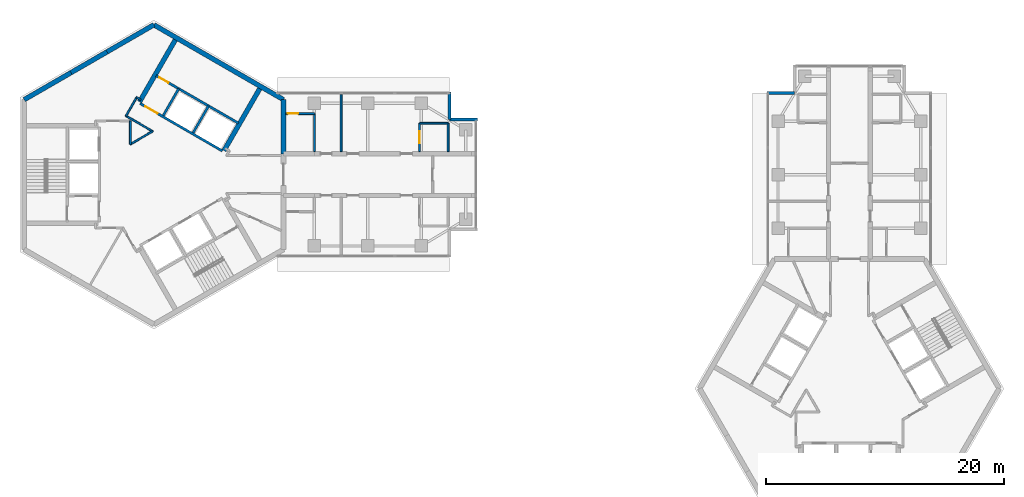
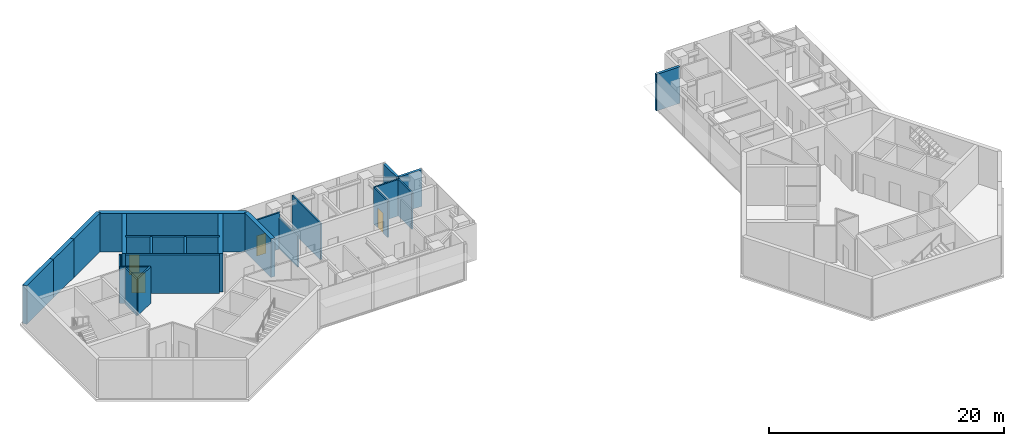
# One storey, part 7 of 11: 25 walls, 4 doors, 4 openings.
"""IFC4 building model written with IfcOpenShell, lengths in metres."""

from ifc_helpers import new_model, si_unit, direction, frame, frame_2d, origin, place, context, subcontext, project, spatial, rectangle, extrude, material, layer, layer_set, type_object, element, fill, save


model = new_model("IFC4")

# Units and contexts
model_context = context("Model", 3, precision=1e-05, world=origin(), true_north=direction((0.0, 1.0)))
body_context = subcontext(model_context, "Body", "Model", "MODEL_VIEW")
ifc_project = project(units=[si_unit("LENGTHUNIT", "METRE"), si_unit("AREAUNIT", "SQUARE_METRE"), si_unit("VOLUMEUNIT", "CUBIC_METRE"), si_unit("PLANEANGLEUNIT", "RADIAN"), si_unit("MASSUNIT", "GRAM", prefix="KILO")], contexts=[model_context])

# Site, building, storey
site_placement = place(None, origin())
site = spatial("IfcSite", under=ifc_project, at=site_placement, CompositionType="ELEMENT")
building_placement = place(site_placement, origin())
building = spatial("IfcBuilding", under=site, at=building_placement, Name="Upepo Twin Towers", CompositionType="ELEMENT")
storey_placement = place(building_placement, frame((0.0, 0.0, 247.5)))
storey = spatial("IfcBuildingStorey", under=building, at=storey_placement, Name="L60", CompositionType="ELEMENT", Elevation=247.5)

# Walls
ifc_material_1 = material(Name="Concrete C60/75", Category="concrete")
ifc_layer_1 = layer(ifc_material_1, 0.39990234375)
ifc_layer_set_1 = layer_set([ifc_layer_1], Name="Concrete C60/75")
wall_type_1 = type_object("IfcWallType", Name="Core wall 400 RC", PredefinedType="SHEAR", material=ifc_layer_set_1)
wall_1_placement = place(storey_placement, frame((10.908447265625, 1.75, 0.0), z_axis=(0.0, 0.0, 1.0), x_axis=(0.0, 1.0, 0.0)))
element("IfcWall", 1, at=wall_1_placement, inside=storey, type_object=wall_type_1, Name="T1 core wall 000 L", PredefinedType="SHEAR", context=body_context, shape_type="SweptSolid", body=[
    extrude(rectangle(XDim=4.5478515625, YDim=0.39990234375, at=frame_2d((2.27392578125, 0.0))), origin(), (0.0, 0.0, 1.0), 4.0),
])
wall_2_placement = place(storey_placement, frame((10.908447265625, 6.2978515625, 0.0), z_axis=(0.0, 0.0, 1.0), x_axis=(-0.866021940709, 0.500005998175, 0.0)))
element("IfcWall", 2, at=wall_2_placement, inside=storey, type_object=wall_type_1, Name="T1 core wall 060", PredefinedType="SHEAR", context=body_context, shape_type="SweptSolid", body=[
    extrude(rectangle(XDim=12.595947265625, YDim=0.39990234375, at=frame_2d((6.2978515625, 0.0))), origin(), (0.0, 0.0, 1.0), 4.0),
])
wall_3_placement = place(storey_placement, frame((0.0, 12.595947265625, 0.0), z_axis=(0.0, 0.0, 1.0), x_axis=(-0.866011268655, -0.500024481964, 0.0)))
element("IfcWall", 3, at=wall_3_placement, inside=storey, type_object=wall_type_1, Name="T1 core wall 120 R", PredefinedType="SHEAR", context=body_context, shape_type="SweptSolid", body=[
    extrude(rectangle(XDim=4.548095703125, YDim=0.39990234375, at=frame_2d((2.27392578125, 0.0))), origin(), (0.0, 0.0, 1.0), 4.0),
])
wall_4_placement = place(storey_placement, frame((-3.938720703125, 10.32177734375, 0.0), z_axis=(0.0, 0.0, 1.0), x_axis=(-0.866019471182, -0.500010275428, 0.0)))
element("IfcWall", 4, at=wall_4_placement, inside=storey, type_object=wall_type_1, Name="T1 core wall 120", PredefinedType="SHEAR", context=body_context, shape_type="SweptSolid", body=[
    extrude(rectangle(XDim=3.5, YDim=0.39990234375, at=frame_2d((1.75, 0.0))), origin(), (0.0, 0.0, 1.0), 4.0),
])
wall_5_placement = place(storey_placement, frame((-6.9697265625, 8.57177734375, 0.0), z_axis=(0.0, 0.0, 1.0), x_axis=(-0.866034513004, -0.499984222037, 0.0)))
element("IfcWall", 5, at=wall_5_placement, inside=storey, type_object=wall_type_1, Name="T1 core wall 120 L", PredefinedType="SHEAR", context=body_context, shape_type="SweptSolid", body=[
    extrude(rectangle(XDim=4.548095703125, YDim=0.39990234375, at=frame_2d((2.27392578125, 0.0))), origin(), (0.0, 0.0, 1.0), 4.0),
])
ifc_material_2 = material(Name="Blockwork with anodised aluminium cladding", Category="masonry")
ifc_layer_2 = layer(ifc_material_2, 0.25)
ifc_layer_set_2 = layer_set([ifc_layer_2], Name="Notch cladding wall 250, pale metal")
wall_type_2 = type_object("IfcWallType", Name="Notch cladding wall 250, pale metal", PredefinedType="STANDARD", material=ifc_layer_set_2)
for number, where, z_axis, x_axis, name in (
    (6, (24.875, 6.949951171875, 0.0), (0.0, 0.0, 1.0), (0.0, -1.0, 0.0), "T1 L60 wing A notch wall L1"),
    (7, (24.875, 4.625, 0.0), (0.0, 0.0, 1.0), (1.0, 0.0, 0.0), "T1 L60 wing A notch wall L2"),
    (8, (51.550048828125, 6.875, 0.0), (0.0, 0.0, 1.0), (1.0, 0.0, 0.0), "T2 L60 wing A notch wall L1"),
):
    element("IfcWall", number, at=place(storey_placement, frame(where, z_axis=z_axis, x_axis=x_axis)), inside=storey, type_object=wall_type_2, Name=name, PredefinedType="STANDARD", context=body_context, shape_type="SweptSolid", body=[
        extrude(rectangle(XDim=2.324951171875, YDim=0.25, at=frame_2d((1.16259765625, 0.0))), origin(), (0.0, 0.0, 1.0), 3.800048828125),
    ])

# Wall, opening, door
ifc_material_3 = material(Name="Concrete C40/50", Category="concrete")
ifc_layer_3 = layer(ifc_material_3, 0.199951171875)
ifc_layer_set_3 = layer_set([ifc_layer_3], Name="Concrete C40/50")
wall_type_3 = type_object("IfcWallType", Name="Shaft wall 200 RC", PredefinedType="SHEAR", material=ifc_layer_set_3)
wall_6_placement = place(storey_placement, frame((5.76416015625, 1.983642578125, 0.0), z_axis=(0.0, 0.0, 1.0), x_axis=(-0.866026010844, 0.49999894854, 0.0)))
wall_6 = element("IfcWall", 9, at=wall_6_placement, inside=storey, type_object=wall_type_3, Name="T1 core W60 front wall", PredefinedType="SHEAR", context=body_context, shape_type="SweptSolid", body=[
    extrude(rectangle(XDim=8.0, YDim=0.199951171875, at=frame_2d((4.0, 0.0))), origin(), (0.0, 0.0, 1.0), 4.0),
])
opening_1_placement = place(wall_6_placement, frame((6.300048828125, 0.0, 0.0)))
opening_1 = element("IfcOpeningElement", 10, at=opening_1_placement, cuts=wall_6, Name="Opening D4", PredefinedType="OPENING", context=body_context, shape_type="SweptSolid", body=[
    extrude(rectangle(XDim=1.199951171875, YDim=2.10009765625, at=frame_2d((0.60009765625, 1.050048828125))), frame((0.0, 0.10986328125, 0.0), z_axis=(0.0, -1.0, 0.0), x_axis=(1.0, 0.0, 0.0)), (0.0, 0.0, 1.0), 0.219970703125),
])
ifc_material_4 = material(Name="Timber doorset", Category="wood")
door_type_1 = type_object("IfcDoorType", Name="Lobby door 1200 FD60", OperationType="SINGLE_SWING_LEFT", PredefinedType="DOOR", material=ifc_material_4)
door_1_placement = place(opening_1_placement, origin())
door_1 = element("IfcDoor", 11, at=door_1_placement, inside=storey, type_object=door_type_1, Name="T1 L60 W60 lobby door", OperationType="SINGLE_SWING_RIGHT", OverallHeight=2.10009765625, OverallWidth=1.199951171875, PredefinedType="DOOR", context=body_context, shape_type="SweptSolid", body=[
    extrude(rectangle(XDim=1.199951171875, YDim=2.10009765625, at=frame_2d((0.60009765625, 1.050048828125))), frame((0.0, 0.02490234375, 0.0), z_axis=(0.0, -1.0, 0.0), x_axis=(1.0, 0.0, 0.0)), (0.0, 0.0, 1.0), 0.050048828125),
])
fill(opening_1, door_1)

# Walls
for number, where, z_axis, x_axis, name in (
    (12, (3.302734375, 3.520263671875, 0.0), (0.0, 0.0, 1.0), (0.499936506574, 0.866062058628, 0.0), "T1 core W60 shaft divider"),
    (13, (0.791259765625, 4.97021484375, 0.0), (0.0, 0.0, 1.0), (0.499936506574, 0.866062058628, 0.0), "T1 core W60 lobby wall"),
):
    element("IfcWall", number, at=place(storey_placement, frame(where, z_axis=z_axis, x_axis=x_axis)), inside=storey, type_object=wall_type_3, Name=name, PredefinedType="SHEAR", context=body_context, shape_type="SweptSolid", body=[
        extrude(rectangle(XDim=2.599853515625, YDim=0.199951171875, at=frame_2d((1.2998046875, 0.0))), origin(), (0.0, 0.0, 1.0), 4.0),
    ])

# Wall, opening, door
wall_7_placement = place(storey_placement, frame((7.114013671875, 4.322021484375, 0.0), z_axis=(0.0, 0.0, 1.0), x_axis=(-0.866026010844, 0.49999894854, 0.0)))
wall_7 = element("IfcWall", 14, at=wall_7_placement, inside=storey, type_object=wall_type_3, Name="T1 core W60 stair wall", PredefinedType="SHEAR", context=body_context, shape_type="SweptSolid", body=[
    extrude(rectangle(XDim=8.0, YDim=0.199951171875, at=frame_2d((4.0, 0.0))), origin(), (0.0, 0.0, 1.0), 4.0),
])
opening_2_placement = place(wall_7_placement, frame((6.800048828125, 0.0, 0.0)))
opening_2 = element("IfcOpeningElement", 15, at=opening_2_placement, cuts=wall_7, Name="Opening D9", PredefinedType="OPENING", context=body_context, shape_type="SweptSolid", body=[
    extrude(rectangle(XDim=0.89990234375, YDim=2.10009765625, at=frame_2d((0.449951171875, 1.050048828125))), frame((0.0, 0.10986328125, 0.0), z_axis=(0.0, -1.0, 0.0), x_axis=(1.0, 0.0, 0.0)), (0.0, 0.0, 1.0), 0.219970703125),
])
ifc_material_5 = material(Name="Timber doorset", Category="wood")
door_type_2 = type_object("IfcDoorType", Name="Riser door 900 FD60", OperationType="SINGLE_SWING_LEFT", PredefinedType="DOOR", material=ifc_material_5)
door_2_placement = place(opening_2_placement, origin())
door_2 = element("IfcDoor", 16, at=door_2_placement, inside=storey, type_object=door_type_2, Name="T1 L60 riser door", OperationType="SINGLE_SWING_RIGHT", OverallHeight=2.10009765625, OverallWidth=0.89990234375, PredefinedType="DOOR", context=body_context, shape_type="SweptSolid", body=[
    extrude(rectangle(XDim=0.89990234375, YDim=2.10009765625, at=frame_2d((0.449951171875, 1.050048828125))), frame((0.0, 0.02490234375, 0.0), z_axis=(0.0, -1.0, 0.0), x_axis=(1.0, 0.0, 0.0)), (0.0, 0.0, 1.0), 0.050048828125),
])
fill(opening_2, door_2)

# Walls
ifc_material_6 = material(Name="Concrete C40/50", Category="concrete")
ifc_layer_4 = layer(ifc_material_6, 0.39990234375)
ifc_layer_set_4 = layer_set([ifc_layer_4], Name="Concrete C40/50")
wall_type_4 = type_object("IfcWallType", Name="Shaft wall 400 RC", PredefinedType="SHEAR", material=ifc_layer_set_4)
for number, where, z_axis, x_axis, name in (
    (17, (-1.20068359375, 6.120361328125, 0.0), (0.0, 0.0, 1.0), (0.499997979876, 0.866026570101, 0.0), "T1 core W60 side wall N"),
    (18, (5.900634765625, 2.020263671875, 0.0), (0.0, 0.0, 1.0), (0.499997979876, 0.866026570101, 0.0), "T1 core W60 side wall S"),
):
    element("IfcWall", number, at=place(storey_placement, frame(where, z_axis=z_axis, x_axis=x_axis)), inside=storey, type_object=wall_type_4, Name=name, PredefinedType="SHEAR", context=body_context, shape_type="SweptSolid", body=[
        extrude(rectangle(XDim=6.00830078125, YDim=0.39990234375, at=frame_2d((3.004150390625, 0.0))), origin(), (0.0, 0.0, 1.0), 4.0),
    ])
ifc_material_7 = material(Name="Gypsum board on steel studs", Category="steel")
ifc_layer_5 = layer(ifc_material_7, 0.14990234375)
ifc_layer_set_5 = layer_set([ifc_layer_5], Name="Teaching partition 150 acoustic")
wall_type_5 = type_object("IfcWallType", Name="Teaching partition 150 acoustic", PredefinedType="PARTITIONING", material=ifc_layer_set_5)
wall_8_placement = place(storey_placement, frame((15.75, 1.925048828125, 0.0), z_axis=(0.0, 0.0, 1.0), x_axis=(0.0, 1.0, 0.0)))
element("IfcWall", 19, at=wall_8_placement, inside=storey, type_object=wall_type_5, Name="T1 partition AL at 15.75", PredefinedType="PARTITIONING", context=body_context, shape_type="SweptSolid", body=[
    extrude(rectangle(XDim=4.824951171875, YDim=0.14990234375, at=frame_2d((2.41259765625, 0.0))), origin(), (0.0, 0.0, 1.0), 3.800048828125),
])
wall_9_placement = place(storey_placement, frame((22.35009765625, 4.324951171875, 0.0), z_axis=(0.0, 0.0, 1.0), x_axis=(1.0, 0.0, 0.0)))
element("IfcWall", 20, at=wall_9_placement, inside=storey, type_object=wall_type_5, Name="T1 inner room partition AL at 22.35", PredefinedType="PARTITIONING", context=body_context, shape_type="SweptSolid", body=[
    extrude(rectangle(XDim=2.39990234375, YDim=0.14990234375, at=frame_2d((1.199951171875, 0.0))), origin(), (0.0, 0.0, 1.0), 3.800048828125),
])

# Wall, opening, door
wall_10_placement = place(storey_placement, frame((22.35009765625, 1.925048828125, 0.0), z_axis=(0.0, 0.0, 1.0), x_axis=(0.0, 1.0, 0.0)))
wall_10 = element("IfcWall", 21, at=wall_10_placement, inside=storey, type_object=wall_type_5, Name="T1 inner room partition AL end at 22.35", PredefinedType="PARTITIONING", context=body_context, shape_type="SweptSolid", body=[
    extrude(rectangle(XDim=2.39990234375, YDim=0.14990234375, at=frame_2d((1.199951171875, 0.0))), origin(), (0.0, 0.0, 1.0), 3.800048828125),
])
opening_3_placement = place(wall_10_placement, frame((0.699951171875, 0.0, 0.0)))
opening_3 = element("IfcOpeningElement", 22, at=opening_3_placement, cuts=wall_10, Name="Opening D1", PredefinedType="OPENING", context=body_context, shape_type="SweptSolid", body=[
    extrude(rectangle(XDim=1.0, YDim=2.10009765625, at=frame_2d((0.5, 1.050048828125))), frame((0.0, 0.0849609375, 0.0), z_axis=(0.0, -1.0, 0.0), x_axis=(1.0, 0.0, 0.0)), (0.0, 0.0, 1.0), 0.169921875),
])
ifc_material_8 = material(Name="Timber doorset", Category="wood")
door_type_3 = type_object("IfcDoorType", Name="Room door 1000 FD30", OperationType="SINGLE_SWING_LEFT", PredefinedType="DOOR", material=ifc_material_8)
door_3_placement = place(opening_3_placement, origin())
door_3 = element("IfcDoor", 23, at=door_3_placement, inside=storey, type_object=door_type_3, Name="T1 L60 inner room door", OperationType="SINGLE_SWING_LEFT", OverallHeight=2.10009765625, OverallWidth=1.0, PredefinedType="DOOR", context=body_context, shape_type="SweptSolid", body=[
    extrude(rectangle(XDim=1.0, YDim=2.10009765625, at=frame_2d((0.5, 1.050048828125))), frame((0.0, 0.02490234375, 0.0), z_axis=(0.0, -1.0, 0.0), x_axis=(1.0, 0.0, 0.0)), (0.0, 0.0, 1.0), 0.050048828125),
])
fill(opening_3, door_3)

# Wall
wall_11_placement = place(storey_placement, frame((24.75, 1.925048828125, 0.0), z_axis=(0.0, 0.0, 1.0), x_axis=(0.0, 1.0, 0.0)))
element("IfcWall", 24, at=wall_11_placement, inside=storey, type_object=wall_type_5, Name="T1 inner room partition AL end at 24.75", PredefinedType="PARTITIONING", context=body_context, shape_type="SweptSolid", body=[
    extrude(rectangle(XDim=2.39990234375, YDim=0.14990234375, at=frame_2d((1.199951171875, 0.0))), origin(), (0.0, 0.0, 1.0), 3.800048828125),
])

# Wall, opening, door
wall_12_placement = place(storey_placement, frame((11.10791015625, 5.125, 0.0), z_axis=(0.0, 0.0, 1.0), x_axis=(1.0, 0.0, 0.0)))
wall_12 = element("IfcWall", 25, at=wall_12_placement, inside=storey, type_object=wall_type_5, Name="T1 WC bay partition AL at 11.11", PredefinedType="PARTITIONING", context=body_context, shape_type="SweptSolid", body=[
    extrude(rectangle(XDim=2.400146484375, YDim=0.14990234375, at=frame_2d((1.2001953125, 0.0))), origin(), (0.0, 0.0, 1.0), 3.800048828125),
])
opening_4_placement = place(wall_12_placement, frame((0.14990234375, 0.0, 0.0)))
opening_4 = element("IfcOpeningElement", 26, at=opening_4_placement, cuts=wall_12, Name="Opening D14", PredefinedType="OPENING", context=body_context, shape_type="SweptSolid", body=[
    extrude(rectangle(XDim=0.89990234375, YDim=2.10009765625, at=frame_2d((0.449951171875, 1.050048828125))), frame((0.0, 0.0849609375, 0.0), z_axis=(0.0, -1.0, 0.0), x_axis=(1.0, 0.0, 0.0)), (0.0, 0.0, 1.0), 0.169921875),
])
ifc_material_9 = material(Name="Timber doorset", Category="wood")
door_type_4 = type_object("IfcDoorType", Name="Office door 900 FD30", OperationType="SINGLE_SWING_LEFT", PredefinedType="DOOR", material=ifc_material_9)
door_4_placement = place(opening_4_placement, origin())
door_4 = element("IfcDoor", 27, at=door_4_placement, inside=storey, type_object=door_type_4, Name="T1 L60 WC bay inner room door", OperationType="SINGLE_SWING_LEFT", OverallHeight=2.10009765625, OverallWidth=0.89990234375, PredefinedType="DOOR", context=body_context, shape_type="SweptSolid", body=[
    extrude(rectangle(XDim=0.89990234375, YDim=2.10009765625, at=frame_2d((0.449951171875, 1.050048828125))), frame((0.0, 0.02490234375, 0.0), z_axis=(0.0, -1.0, 0.0), x_axis=(1.0, 0.0, 0.0)), (0.0, 0.0, 1.0), 0.050048828125),
])
fill(opening_4, door_4)

# Walls
wall_13_placement = place(storey_placement, frame((13.508056640625, 1.925048828125, 0.0), z_axis=(0.0, 0.0, 1.0), x_axis=(0.0, 1.0, 0.0)))
element("IfcWall", 28, at=wall_13_placement, inside=storey, type_object=wall_type_5, Name="T1 WC bay partition AL end at 13.51", PredefinedType="PARTITIONING", context=body_context, shape_type="SweptSolid", body=[
    extrude(rectangle(XDim=3.199951171875, YDim=0.14990234375, at=frame_2d((1.60009765625, 0.0))), origin(), (0.0, 0.0, 1.0), 3.266845703125),
])
wall_14_placement = place(storey_placement, frame((-1.97509765625, 4.52001953125, 0.0), z_axis=(0.0, 0.0, 1.0), x_axis=(0.0, -1.0, 0.0)))
element("IfcWall", 29, at=wall_14_placement, inside=storey, type_object=wall_type_5, Name="T1 core room partition 8", PredefinedType="PARTITIONING", context=body_context, shape_type="SweptSolid", body=[
    extrude(rectangle(XDim=1.985107421875, YDim=0.14990234375, at=frame_2d((0.99267578125, 0.0))), origin(), (0.0, 0.0, 1.0), 3.800048828125),
])
wall_15_placement = place(storey_placement, frame((-1.992431640625, 2.544921875, 0.0), z_axis=(0.0, 0.0, 1.0), x_axis=(0.866074964767, 0.499914148034, 0.0)))
element("IfcWall", 30, at=wall_15_placement, inside=storey, type_object=wall_type_5, Name="T1 core room partition 9", PredefinedType="PARTITIONING", context=body_context, shape_type="SweptSolid", body=[
    extrude(rectangle(XDim=2.205078125, YDim=0.14990234375, at=frame_2d((1.1025390625, 0.0))), origin(), (0.0, 0.0, 1.0), 3.800048828125),
])
wall_16_placement = place(storey_placement, frame((-0.082763671875, 3.627197265625, 0.0), z_axis=(0.0, 0.0, 1.0), x_axis=(-0.866022017938, 0.500005864412, 0.0)))
element("IfcWall", 31, at=wall_16_placement, inside=storey, type_object=wall_type_5, Name="T1 core room partition 10", PredefinedType="PARTITIONING", context=body_context, shape_type="SweptSolid", body=[
    extrude(rectangle(XDim=2.634765625, YDim=0.14990234375, at=frame_2d((1.3173828125, 0.0))), origin(), (0.0, 0.0, 1.0), 3.800048828125),
])
wall_17_placement = place(storey_placement, frame((-2.357177734375, 4.91748046875, 0.0), z_axis=(0.0, 0.0, 1.0), x_axis=(0.500120627516, 0.865955748254, 0.0)))
element("IfcWall", 32, at=wall_17_placement, inside=storey, type_object=wall_type_5, Name="T1 core room partition 11", PredefinedType="PARTITIONING", context=body_context, shape_type="SweptSolid", body=[
    extrude(rectangle(XDim=1.83984375, YDim=0.14990234375, at=frame_2d((0.919921875, 0.0))), origin(), (0.0, 0.0, 1.0), 3.800048828125),
])
wall_18_placement = place(storey_placement, frame((-1.46435546875, 6.50341796875, 0.0), z_axis=(0.0, 0.0, 1.0), x_axis=(0.866138304741, -0.499804398801, 0.0)))
element("IfcWall", 33, at=wall_18_placement, inside=storey, type_object=wall_type_5, Name="T1 core room partition 12", PredefinedType="PARTITIONING", context=body_context, shape_type="SweptSolid", body=[
    extrude(rectangle(XDim=0.429931640625, YDim=0.14990234375, at=frame_2d((0.21484375, 0.0))), origin(), (0.0, 0.0, 1.0), 3.800048828125),
])

save(model, "model.ifc")
